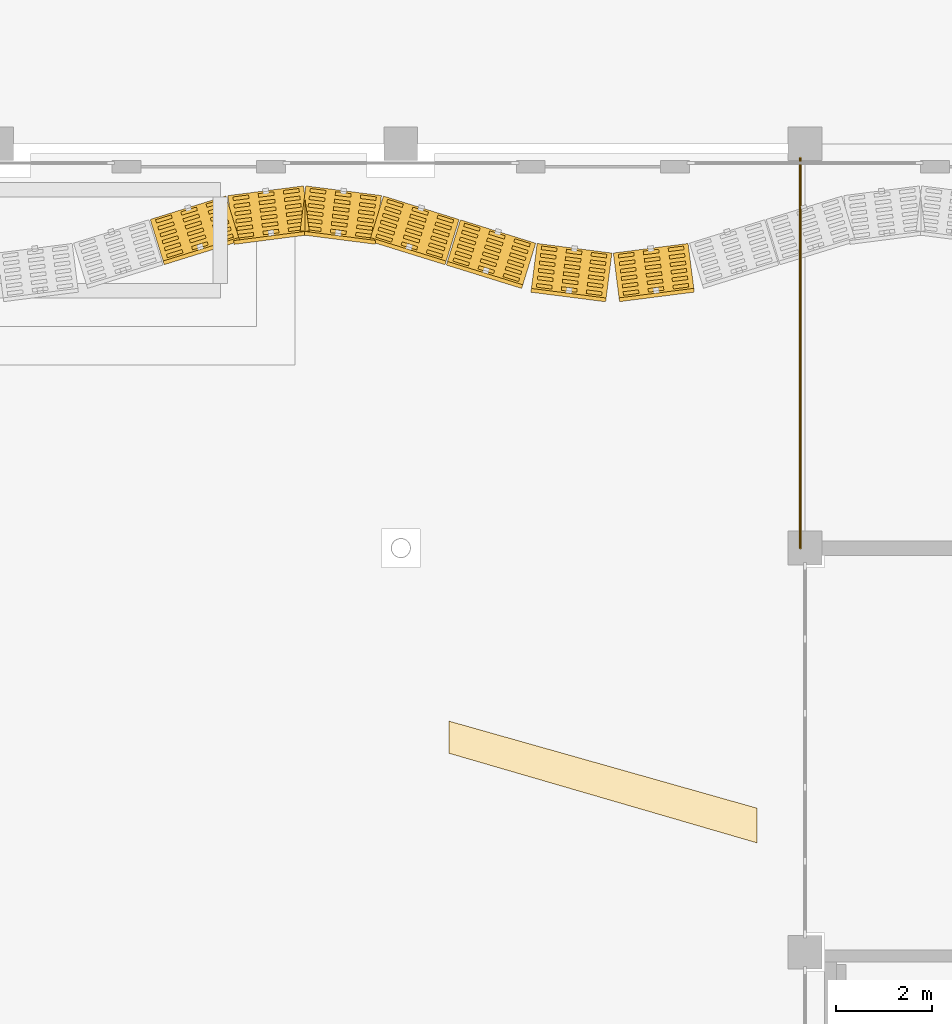
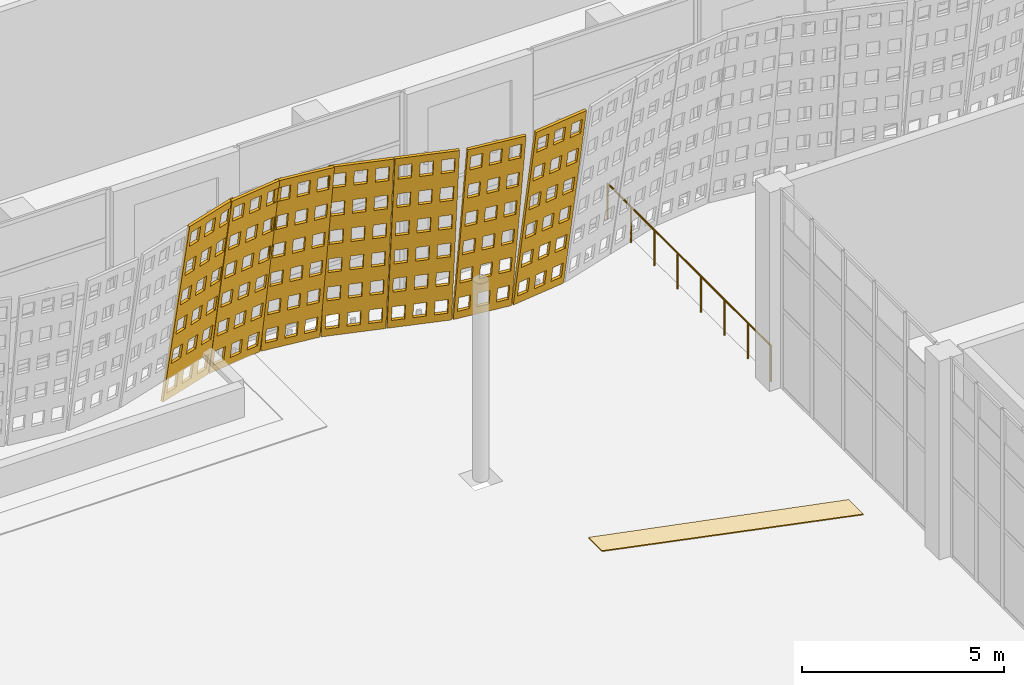
# One storey, part 185 of 210: 8 coverings, 1 railing.
"""IFC4 building model written with IfcOpenShell, lengths in metres."""

from ifc_helpers import new_model, si_unit, direction, frame, origin, origin_2d, place, context, subcontext, project, spatial, polyline, circle, outline, extrude, material, layer, layer_set, type_object, element, save


model = new_model("IFC4")

# Units and contexts
model_context = context("Model", 3, precision=1e-05, world=origin(), true_north=direction((0.0, 1.0)))
body_context = subcontext(model_context, "Body", "Model", "MODEL_VIEW")
ifc_project = project(units=[si_unit("LENGTHUNIT", "METRE"), si_unit("AREAUNIT", "SQUARE_METRE"), si_unit("VOLUMEUNIT", "CUBIC_METRE"), si_unit("PLANEANGLEUNIT", "RADIAN"), si_unit("MASSUNIT", "GRAM", prefix="KILO")], contexts=[model_context])

# Site, building, storey
site_placement = place(None, origin())
site = spatial("IfcSite", under=ifc_project, at=site_placement, CompositionType="ELEMENT")
building_placement = place(site_placement, origin())
building = spatial("IfcBuilding", under=site, at=building_placement, Name="Rain Tree Exposition and Congress Centre", CompositionType="ELEMENT")
storey_placement = place(building_placement, origin())
storey = spatial("IfcBuildingStorey", under=building, at=storey_placement, Name="L00", CompositionType="ELEMENT", Elevation=0.0)

# Covering
ifc_material_1 = material(Name="Granite paving", Category="masonry")
ifc_layer_1 = layer(ifc_material_1, 0.030029296875)
ifc_layer_set_1 = layer_set([ifc_layer_1], Name="Granite paving")
covering_type_1 = type_object("IfcCoveringType", Name="Granite paving inlay 30", PredefinedType="FLOORING", material=ifc_layer_set_1)
covering_1_placement = place(storey_placement, origin())
element("IfcCovering", 1, at=covering_1_placement, inside=storey, type_object=covering_type_1, Name="Granite paving inlay 22", PredefinedType="FLOORING", context=body_context, shape_type="SweptSolid", body=[
    extrude(outline(polyline([(143.800048828125, 63.603271484375), (143.800048828125, 62.935791015625), (150.199951171875, 61.07373046875), (150.199951171875, 61.794921875), (143.800048828125, 63.603271484375)])), origin(), (0.0, 0.0, 1.0), 0.030029296875),
])

# Railing
ifc_material_2 = material(Name="Stainless steel", Category="steel")
railing_type = type_object("IfcRailingType", Name="Guard 1100 stainless", PredefinedType="GUARDRAIL", material=ifc_material_2)
railing_placement = place(storey_placement, frame((151.10009765625, 67.199951171875, 0.0)))
element("IfcRailing", 2, at=railing_placement, inside=storey, type_object=railing_type, Name="Deck edge guard east-2", PredefinedType="GUARDRAIL", context=body_context, shape_type="SweptSolid", body=[
    extrude(circle(Radius=0.02490234375, at=origin_2d()), frame((0.0, 0.0, 1.0751953125), z_axis=(0.0, 1.0, 0.0), x_axis=(-1.0, 0.0, 0.0)), (0.0, 0.0, 1.0), 8.10009765625),
    extrude(circle(Radius=0.02490234375, at=origin_2d()), origin(), (0.0, 0.0, 1.0), 1.050048828125),
    extrude(circle(Radius=0.02490234375, at=origin_2d()), frame((0.0, 1.1572265625, 0.0)), (0.0, 0.0, 1.0), 1.050048828125),
    extrude(circle(Radius=0.02490234375, at=origin_2d()), frame((0.0, 2.314208984375, 0.0)), (0.0, 0.0, 1.0), 1.050048828125),
    extrude(circle(Radius=0.02490234375, at=origin_2d()), frame((0.0, 3.471435546875, 0.0)), (0.0, 0.0, 1.0), 1.050048828125),
    extrude(circle(Radius=0.02490234375, at=origin_2d()), frame((0.0, 4.628662109375, 0.0)), (0.0, 0.0, 1.0), 1.050048828125),
    extrude(circle(Radius=0.02490234375, at=origin_2d()), frame((0.0, 5.785888671875, 0.0)), (0.0, 0.0, 1.0), 1.050048828125),
    extrude(circle(Radius=0.02490234375, at=origin_2d()), frame((0.0, 6.94287109375, 0.0)), (0.0, 0.0, 1.0), 1.050048828125),
    extrude(circle(Radius=0.02490234375, at=origin_2d()), frame((0.0, 8.10009765625, 0.0)), (0.0, 0.0, 1.0), 1.050048828125),
])

# Coverings
ifc_material_3 = material(Name="Perforated terracotta", Category="masonry")
ifc_layer_2 = layer(ifc_material_3, 0.080078125)
ifc_layer_set_2 = layer_set([ifc_layer_2], Name="Perforated terracotta")
covering_type_2 = type_object("IfcCoveringType", Name="Terracotta screen 80", PredefinedType="CLADDING", material=ifc_layer_set_2)
covering_2_placement = place(storey_placement, frame((137.60009765625, 73.949951171875, 0.0), z_axis=(-0.293072736571, 0.943327870838, 0.155694891303), x_axis=(-0.954973588716, -0.296690823679, 0.0)))
element("IfcCovering", 3, at=covering_2_placement, inside=storey, type_object=covering_type_2, Name="concourse/screen/L00/087", PredefinedType="CLADDING", context=body_context, shape_type="SweptSolid", body=[
    extrude(outline(polyline([(-0.014892578125, 0.0), (-1.659912109375, 0.0), (-1.659912109375, 5.80859375), (-0.014892578125, 5.80859375), (-0.014892578125, 0.0)]), holes=[polyline([(-0.119140625, 0.249755859375), (-0.119140625, 0.71826171875), (-0.458984375, 0.71826171875), (-0.458984375, 0.249755859375), (-0.119140625, 0.249755859375)]), polyline([(-0.119140625, 1.218017578125), (-0.119140625, 1.686279296875), (-0.458984375, 1.686279296875), (-0.458984375, 1.218017578125), (-0.119140625, 1.218017578125)]), polyline([(-0.119140625, 2.18603515625), (-0.119140625, 2.654541015625), (-0.458984375, 2.654541015625), (-0.458984375, 2.18603515625), (-0.119140625, 2.18603515625)]), polyline([(-0.119140625, 3.154052734375), (-0.119140625, 3.62255859375), (-0.458984375, 3.62255859375), (-0.458984375, 3.154052734375), (-0.119140625, 3.154052734375)]), polyline([(-0.119140625, 4.122314453125), (-0.119140625, 4.5908203125), (-0.458984375, 4.5908203125), (-0.458984375, 4.122314453125), (-0.119140625, 4.122314453125)]), polyline([(-0.119140625, 5.09033203125), (-0.119140625, 5.558837890625), (-0.458984375, 5.558837890625), (-0.458984375, 5.09033203125), (-0.119140625, 5.09033203125)]), polyline([(-0.66748046875, 0.249755859375), (-0.66748046875, 0.71826171875), (-1.00732421875, 0.71826171875), (-1.00732421875, 0.249755859375), (-0.66748046875, 0.249755859375)]), polyline([(-0.66748046875, 1.218017578125), (-0.66748046875, 1.686279296875), (-1.00732421875, 1.686279296875), (-1.00732421875, 1.218017578125), (-0.66748046875, 1.218017578125)]), polyline([(-0.66748046875, 2.18603515625), (-0.66748046875, 2.654541015625), (-1.00732421875, 2.654541015625), (-1.00732421875, 2.18603515625), (-0.66748046875, 2.18603515625)]), polyline([(-0.66748046875, 3.154052734375), (-0.66748046875, 3.62255859375), (-1.00732421875, 3.62255859375), (-1.00732421875, 3.154052734375), (-0.66748046875, 3.154052734375)]), polyline([(-0.66748046875, 4.122314453125), (-0.66748046875, 4.5908203125), (-1.00732421875, 4.5908203125), (-1.00732421875, 4.122314453125), (-0.66748046875, 4.122314453125)]), polyline([(-0.66748046875, 5.09033203125), (-0.66748046875, 5.558837890625), (-1.00732421875, 5.558837890625), (-1.00732421875, 5.09033203125), (-0.66748046875, 5.09033203125)]), polyline([(-1.2158203125, 0.249755859375), (-1.2158203125, 0.71826171875), (-1.5556640625, 0.71826171875), (-1.5556640625, 0.249755859375), (-1.2158203125, 0.249755859375)]), polyline([(-1.2158203125, 1.218017578125), (-1.2158203125, 1.686279296875), (-1.5556640625, 1.686279296875), (-1.5556640625, 1.218017578125), (-1.2158203125, 1.218017578125)]), polyline([(-1.2158203125, 2.18603515625), (-1.2158203125, 2.654541015625), (-1.5556640625, 2.654541015625), (-1.5556640625, 2.18603515625), (-1.2158203125, 2.18603515625)]), polyline([(-1.2158203125, 3.154052734375), (-1.2158203125, 3.62255859375), (-1.5556640625, 3.62255859375), (-1.5556640625, 3.154052734375), (-1.2158203125, 3.154052734375)]), polyline([(-1.2158203125, 4.122314453125), (-1.2158203125, 4.5908203125), (-1.5556640625, 4.5908203125), (-1.5556640625, 4.122314453125), (-1.2158203125, 4.122314453125)]), polyline([(-1.2158203125, 5.09033203125), (-1.2158203125, 5.558837890625), (-1.5556640625, 5.558837890625), (-1.5556640625, 5.09033203125), (-1.2158203125, 5.09033203125)])]), origin(), (0.0, 0.0, 1.0), 0.080078125),
])
covering_3_placement = place(storey_placement, frame((139.199951171875, 74.445068359375, 0.0), z_axis=(-0.125405134464, 0.978771781185, 0.162109076259), x_axis=(-0.991891686382, -0.127086122318, 0.0)))
element("IfcCovering", 4, at=covering_3_placement, inside=storey, type_object=covering_type_2, Name="concourse/screen/L00/088", PredefinedType="CLADDING", context=body_context, shape_type="SweptSolid", body=[
    extrude(outline(polyline([(-0.014892578125, 0.0), (-1.59814453125, 0.0), (-1.59814453125, 5.813720703125), (-0.014892578125, 5.813720703125), (-0.014892578125, 0.0)]), holes=[polyline([(-0.115234375, 0.25), (-0.115234375, 0.718994140625), (-0.4423828125, 0.718994140625), (-0.4423828125, 0.25), (-0.115234375, 0.25)]), polyline([(-0.115234375, 1.218994140625), (-0.115234375, 1.687744140625), (-0.4423828125, 1.687744140625), (-0.4423828125, 1.218994140625), (-0.115234375, 1.218994140625)]), polyline([(-0.115234375, 2.18798828125), (-0.115234375, 2.65673828125), (-0.4423828125, 2.65673828125), (-0.4423828125, 2.18798828125), (-0.115234375, 2.18798828125)]), polyline([(-0.115234375, 3.156982421875), (-0.115234375, 3.625732421875), (-0.4423828125, 3.625732421875), (-0.4423828125, 3.156982421875), (-0.115234375, 3.156982421875)]), polyline([(-0.115234375, 4.125732421875), (-0.115234375, 4.594482421875), (-0.4423828125, 4.594482421875), (-0.4423828125, 4.125732421875), (-0.115234375, 4.125732421875)]), polyline([(-0.115234375, 5.0947265625), (-0.115234375, 5.563720703125), (-0.4423828125, 5.563720703125), (-0.4423828125, 5.0947265625), (-0.115234375, 5.0947265625)]), polyline([(-0.64306640625, 0.25), (-0.64306640625, 0.718994140625), (-0.97021484375, 0.718994140625), (-0.97021484375, 0.25), (-0.64306640625, 0.25)]), polyline([(-0.64306640625, 1.218994140625), (-0.64306640625, 1.687744140625), (-0.97021484375, 1.687744140625), (-0.97021484375, 1.218994140625), (-0.64306640625, 1.218994140625)]), polyline([(-0.64306640625, 2.18798828125), (-0.64306640625, 2.65673828125), (-0.97021484375, 2.65673828125), (-0.97021484375, 2.18798828125), (-0.64306640625, 2.18798828125)]), polyline([(-0.64306640625, 3.156982421875), (-0.64306640625, 3.625732421875), (-0.97021484375, 3.625732421875), (-0.97021484375, 3.156982421875), (-0.64306640625, 3.156982421875)]), polyline([(-0.64306640625, 4.125732421875), (-0.64306640625, 4.594482421875), (-0.97021484375, 4.594482421875), (-0.97021484375, 4.125732421875), (-0.64306640625, 4.125732421875)]), polyline([(-0.64306640625, 5.0947265625), (-0.64306640625, 5.563720703125), (-0.97021484375, 5.563720703125), (-0.97021484375, 5.0947265625), (-0.64306640625, 5.0947265625)]), polyline([(-1.170654296875, 0.25), (-1.170654296875, 0.718994140625), (-1.497802734375, 0.718994140625), (-1.497802734375, 0.25), (-1.170654296875, 0.25)]), polyline([(-1.170654296875, 1.218994140625), (-1.170654296875, 1.687744140625), (-1.497802734375, 1.687744140625), (-1.497802734375, 1.218994140625), (-1.170654296875, 1.218994140625)]), polyline([(-1.170654296875, 2.18798828125), (-1.170654296875, 2.65673828125), (-1.497802734375, 2.65673828125), (-1.497802734375, 2.18798828125), (-1.170654296875, 2.18798828125)]), polyline([(-1.170654296875, 3.156982421875), (-1.170654296875, 3.625732421875), (-1.497802734375, 3.625732421875), (-1.497802734375, 3.156982421875), (-1.170654296875, 3.156982421875)]), polyline([(-1.170654296875, 4.125732421875), (-1.170654296875, 4.594482421875), (-1.497802734375, 4.594482421875), (-1.497802734375, 4.125732421875), (-1.170654296875, 4.125732421875)]), polyline([(-1.170654296875, 5.0947265625), (-1.170654296875, 5.563720703125), (-1.497802734375, 5.563720703125), (-1.497802734375, 5.0947265625), (-1.170654296875, 5.0947265625)])]), origin(), (0.0, 0.0, 1.0), 0.079833984375),
])
covering_4_placement = place(storey_placement, frame((140.800048828125, 74.64990234375, 0.0), z_axis=(0.125030801275, 0.978899688033, 0.161625182136), x_axis=(-0.991941518713, 0.126696580272, 0.0)))
element("IfcCovering", 5, at=covering_4_placement, inside=storey, type_object=covering_type_2, Name="concourse/screen/L00/089", PredefinedType="CLADDING", context=body_context, shape_type="SweptSolid", body=[
    extrude(outline(polyline([(-0.014892578125, 0.0), (-1.59814453125, 0.0), (-1.59814453125, 5.813720703125), (-0.014892578125, 5.813720703125), (-0.014892578125, 0.0)]), holes=[polyline([(-0.115234375, 0.25), (-0.115234375, 0.718994140625), (-0.4423828125, 0.718994140625), (-0.4423828125, 0.25), (-0.115234375, 0.25)]), polyline([(-0.115234375, 1.218994140625), (-0.115234375, 1.687744140625), (-0.4423828125, 1.687744140625), (-0.4423828125, 1.218994140625), (-0.115234375, 1.218994140625)]), polyline([(-0.115234375, 2.18798828125), (-0.115234375, 2.65673828125), (-0.4423828125, 2.65673828125), (-0.4423828125, 2.18798828125), (-0.115234375, 2.18798828125)]), polyline([(-0.115234375, 3.156982421875), (-0.115234375, 3.625732421875), (-0.4423828125, 3.625732421875), (-0.4423828125, 3.156982421875), (-0.115234375, 3.156982421875)]), polyline([(-0.115234375, 4.125732421875), (-0.115234375, 4.594482421875), (-0.4423828125, 4.594482421875), (-0.4423828125, 4.125732421875), (-0.115234375, 4.125732421875)]), polyline([(-0.115234375, 5.0947265625), (-0.115234375, 5.563720703125), (-0.4423828125, 5.563720703125), (-0.4423828125, 5.0947265625), (-0.115234375, 5.0947265625)]), polyline([(-0.64306640625, 0.25), (-0.64306640625, 0.718994140625), (-0.97021484375, 0.718994140625), (-0.97021484375, 0.25), (-0.64306640625, 0.25)]), polyline([(-0.64306640625, 1.218994140625), (-0.64306640625, 1.687744140625), (-0.97021484375, 1.687744140625), (-0.97021484375, 1.218994140625), (-0.64306640625, 1.218994140625)]), polyline([(-0.64306640625, 2.18798828125), (-0.64306640625, 2.65673828125), (-0.97021484375, 2.65673828125), (-0.97021484375, 2.18798828125), (-0.64306640625, 2.18798828125)]), polyline([(-0.64306640625, 3.156982421875), (-0.64306640625, 3.625732421875), (-0.97021484375, 3.625732421875), (-0.97021484375, 3.156982421875), (-0.64306640625, 3.156982421875)]), polyline([(-0.64306640625, 4.125732421875), (-0.64306640625, 4.594482421875), (-0.97021484375, 4.594482421875), (-0.97021484375, 4.125732421875), (-0.64306640625, 4.125732421875)]), polyline([(-0.64306640625, 5.0947265625), (-0.64306640625, 5.563720703125), (-0.97021484375, 5.563720703125), (-0.97021484375, 5.0947265625), (-0.64306640625, 5.0947265625)]), polyline([(-1.170654296875, 0.25), (-1.170654296875, 0.718994140625), (-1.497802734375, 0.718994140625), (-1.497802734375, 0.25), (-1.170654296875, 0.25)]), polyline([(-1.170654296875, 1.218994140625), (-1.170654296875, 1.687744140625), (-1.497802734375, 1.687744140625), (-1.497802734375, 1.218994140625), (-1.170654296875, 1.218994140625)]), polyline([(-1.170654296875, 2.18798828125), (-1.170654296875, 2.65673828125), (-1.497802734375, 2.65673828125), (-1.497802734375, 2.18798828125), (-1.170654296875, 2.18798828125)]), polyline([(-1.170654296875, 3.156982421875), (-1.170654296875, 3.625732421875), (-1.497802734375, 3.625732421875), (-1.497802734375, 3.156982421875), (-1.170654296875, 3.156982421875)]), polyline([(-1.170654296875, 4.125732421875), (-1.170654296875, 4.594482421875), (-1.497802734375, 4.594482421875), (-1.497802734375, 4.125732421875), (-1.170654296875, 4.125732421875)]), polyline([(-1.170654296875, 5.0947265625), (-1.170654296875, 5.563720703125), (-1.497802734375, 5.563720703125), (-1.497802734375, 5.0947265625), (-1.170654296875, 5.0947265625)])]), origin(), (0.0, 0.0, 1.0), 0.080078125),
])
covering_5_placement = place(storey_placement, frame((142.39990234375, 74.445068359375, 0.0), z_axis=(0.293072736571, 0.943327870838, 0.155694891303), x_axis=(-0.954973588716, 0.296690823679, 0.0)))
element("IfcCovering", 6, at=covering_5_placement, inside=storey, type_object=covering_type_2, Name="concourse/screen/L00/090", PredefinedType="CLADDING", context=body_context, shape_type="SweptSolid", body=[
    extrude(outline(polyline([(-0.014892578125, 0.0), (-1.659912109375, 0.0), (-1.659912109375, 5.80859375), (-0.014892578125, 5.80859375), (-0.014892578125, 0.0)]), holes=[polyline([(-0.119140625, 0.249755859375), (-0.119140625, 0.71826171875), (-0.458984375, 0.71826171875), (-0.458984375, 0.249755859375), (-0.119140625, 0.249755859375)]), polyline([(-0.119140625, 1.218017578125), (-0.119140625, 1.686279296875), (-0.458984375, 1.686279296875), (-0.458984375, 1.218017578125), (-0.119140625, 1.218017578125)]), polyline([(-0.119140625, 2.18603515625), (-0.119140625, 2.654541015625), (-0.458984375, 2.654541015625), (-0.458984375, 2.18603515625), (-0.119140625, 2.18603515625)]), polyline([(-0.119140625, 3.154052734375), (-0.119140625, 3.62255859375), (-0.458984375, 3.62255859375), (-0.458984375, 3.154052734375), (-0.119140625, 3.154052734375)]), polyline([(-0.119140625, 4.122314453125), (-0.119140625, 4.5908203125), (-0.458984375, 4.5908203125), (-0.458984375, 4.122314453125), (-0.119140625, 4.122314453125)]), polyline([(-0.119140625, 5.09033203125), (-0.119140625, 5.558837890625), (-0.458984375, 5.558837890625), (-0.458984375, 5.09033203125), (-0.119140625, 5.09033203125)]), polyline([(-0.66748046875, 0.249755859375), (-0.66748046875, 0.71826171875), (-1.00732421875, 0.71826171875), (-1.00732421875, 0.249755859375), (-0.66748046875, 0.249755859375)]), polyline([(-0.66748046875, 1.218017578125), (-0.66748046875, 1.686279296875), (-1.00732421875, 1.686279296875), (-1.00732421875, 1.218017578125), (-0.66748046875, 1.218017578125)]), polyline([(-0.66748046875, 2.18603515625), (-0.66748046875, 2.654541015625), (-1.00732421875, 2.654541015625), (-1.00732421875, 2.18603515625), (-0.66748046875, 2.18603515625)]), polyline([(-0.66748046875, 3.154052734375), (-0.66748046875, 3.62255859375), (-1.00732421875, 3.62255859375), (-1.00732421875, 3.154052734375), (-0.66748046875, 3.154052734375)]), polyline([(-0.66748046875, 4.122314453125), (-0.66748046875, 4.5908203125), (-1.00732421875, 4.5908203125), (-1.00732421875, 4.122314453125), (-0.66748046875, 4.122314453125)]), polyline([(-0.66748046875, 5.09033203125), (-0.66748046875, 5.558837890625), (-1.00732421875, 5.558837890625), (-1.00732421875, 5.09033203125), (-0.66748046875, 5.09033203125)]), polyline([(-1.2158203125, 0.249755859375), (-1.2158203125, 0.71826171875), (-1.5556640625, 0.71826171875), (-1.5556640625, 0.249755859375), (-1.2158203125, 0.249755859375)]), polyline([(-1.2158203125, 1.218017578125), (-1.2158203125, 1.686279296875), (-1.5556640625, 1.686279296875), (-1.5556640625, 1.218017578125), (-1.2158203125, 1.218017578125)]), polyline([(-1.2158203125, 2.18603515625), (-1.2158203125, 2.654541015625), (-1.5556640625, 2.654541015625), (-1.5556640625, 2.18603515625), (-1.2158203125, 2.18603515625)]), polyline([(-1.2158203125, 3.154052734375), (-1.2158203125, 3.62255859375), (-1.5556640625, 3.62255859375), (-1.5556640625, 3.154052734375), (-1.2158203125, 3.154052734375)]), polyline([(-1.2158203125, 4.122314453125), (-1.2158203125, 4.5908203125), (-1.5556640625, 4.5908203125), (-1.5556640625, 4.122314453125), (-1.2158203125, 4.122314453125)]), polyline([(-1.2158203125, 5.09033203125), (-1.2158203125, 5.558837890625), (-1.5556640625, 5.558837890625), (-1.5556640625, 5.09033203125), (-1.2158203125, 5.09033203125)])]), origin(), (0.0, 0.0, 1.0), 0.080078125),
])
covering_6_placement = place(storey_placement, frame((144.0, 73.949951171875, 0.0), z_axis=(0.293072736571, 0.943327870838, 0.155694891303), x_axis=(-0.954973588716, 0.296690823679, 0.0)))
element("IfcCovering", 7, at=covering_6_placement, inside=storey, type_object=covering_type_2, Name="concourse/screen/L00/091", PredefinedType="CLADDING", context=body_context, shape_type="SweptSolid", body=[
    extrude(outline(polyline([(-0.014892578125, 0.0), (-1.65283203125, 0.0), (-1.65283203125, 5.80859375), (-0.014892578125, 5.80859375), (-0.014892578125, 0.0)]), holes=[polyline([(-0.11865234375, 0.249755859375), (-0.11865234375, 0.71826171875), (-0.457275390625, 0.71826171875), (-0.457275390625, 0.249755859375), (-0.11865234375, 0.249755859375)]), polyline([(-0.11865234375, 1.218017578125), (-0.11865234375, 1.686279296875), (-0.457275390625, 1.686279296875), (-0.457275390625, 1.218017578125), (-0.11865234375, 1.218017578125)]), polyline([(-0.11865234375, 2.18603515625), (-0.11865234375, 2.654541015625), (-0.457275390625, 2.654541015625), (-0.457275390625, 2.18603515625), (-0.11865234375, 2.18603515625)]), polyline([(-0.11865234375, 3.154052734375), (-0.11865234375, 3.62255859375), (-0.457275390625, 3.62255859375), (-0.457275390625, 3.154052734375), (-0.11865234375, 3.154052734375)]), polyline([(-0.11865234375, 4.122314453125), (-0.11865234375, 4.5908203125), (-0.457275390625, 4.5908203125), (-0.457275390625, 4.122314453125), (-0.11865234375, 4.122314453125)]), polyline([(-0.11865234375, 5.09033203125), (-0.11865234375, 5.558837890625), (-0.457275390625, 5.558837890625), (-0.457275390625, 5.09033203125), (-0.11865234375, 5.09033203125)]), polyline([(-0.664794921875, 0.249755859375), (-0.664794921875, 0.71826171875), (-1.003173828125, 0.71826171875), (-1.003173828125, 0.249755859375), (-0.664794921875, 0.249755859375)]), polyline([(-0.664794921875, 1.218017578125), (-0.664794921875, 1.686279296875), (-1.003173828125, 1.686279296875), (-1.003173828125, 1.218017578125), (-0.664794921875, 1.218017578125)]), polyline([(-0.664794921875, 2.18603515625), (-0.664794921875, 2.654541015625), (-1.003173828125, 2.654541015625), (-1.003173828125, 2.18603515625), (-0.664794921875, 2.18603515625)]), polyline([(-0.664794921875, 3.154052734375), (-0.664794921875, 3.62255859375), (-1.003173828125, 3.62255859375), (-1.003173828125, 3.154052734375), (-0.664794921875, 3.154052734375)]), polyline([(-0.664794921875, 4.122314453125), (-0.664794921875, 4.5908203125), (-1.003173828125, 4.5908203125), (-1.003173828125, 4.122314453125), (-0.664794921875, 4.122314453125)]), polyline([(-0.664794921875, 5.09033203125), (-0.664794921875, 5.558837890625), (-1.003173828125, 5.558837890625), (-1.003173828125, 5.09033203125), (-0.664794921875, 5.09033203125)]), polyline([(-1.210693359375, 0.249755859375), (-1.210693359375, 0.71826171875), (-1.54931640625, 0.71826171875), (-1.54931640625, 0.249755859375), (-1.210693359375, 0.249755859375)]), polyline([(-1.210693359375, 1.218017578125), (-1.210693359375, 1.686279296875), (-1.54931640625, 1.686279296875), (-1.54931640625, 1.218017578125), (-1.210693359375, 1.218017578125)]), polyline([(-1.210693359375, 2.18603515625), (-1.210693359375, 2.654541015625), (-1.54931640625, 2.654541015625), (-1.54931640625, 2.18603515625), (-1.210693359375, 2.18603515625)]), polyline([(-1.210693359375, 3.154052734375), (-1.210693359375, 3.62255859375), (-1.54931640625, 3.62255859375), (-1.54931640625, 3.154052734375), (-1.210693359375, 3.154052734375)]), polyline([(-1.210693359375, 4.122314453125), (-1.210693359375, 4.5908203125), (-1.54931640625, 4.5908203125), (-1.54931640625, 4.122314453125), (-1.210693359375, 4.122314453125)]), polyline([(-1.210693359375, 5.09033203125), (-1.210693359375, 5.558837890625), (-1.54931640625, 5.558837890625), (-1.54931640625, 5.09033203125), (-1.210693359375, 5.09033203125)])]), origin(), (0.0, 0.0, 1.0), 0.080078125),
])
covering_7_placement = place(storey_placement, frame((145.60009765625, 73.455078125, 0.0), z_axis=(0.125405134464, 0.978771781185, 0.162109076259), x_axis=(-0.991891686382, 0.127086122318, 0.0)))
element("IfcCovering", 8, at=covering_7_placement, inside=storey, type_object=covering_type_2, Name="concourse/screen/L00/092", PredefinedType="CLADDING", context=body_context, shape_type="SweptSolid", body=[
    extrude(outline(polyline([(-0.02197265625, 0.0), (-1.587890625, 0.0), (-1.587890625, 5.813720703125), (-0.02197265625, 5.813720703125), (-0.02197265625, 0.0)]), holes=[polyline([(-0.12109375, 0.25), (-0.12109375, 0.718994140625), (-0.444580078125, 0.718994140625), (-0.444580078125, 0.25), (-0.12109375, 0.25)]), polyline([(-0.12109375, 1.218994140625), (-0.12109375, 1.687744140625), (-0.444580078125, 1.687744140625), (-0.444580078125, 1.218994140625), (-0.12109375, 1.218994140625)]), polyline([(-0.12109375, 2.18798828125), (-0.12109375, 2.65673828125), (-0.444580078125, 2.65673828125), (-0.444580078125, 2.18798828125), (-0.12109375, 2.18798828125)]), polyline([(-0.12109375, 3.156982421875), (-0.12109375, 3.625732421875), (-0.444580078125, 3.625732421875), (-0.444580078125, 3.156982421875), (-0.12109375, 3.156982421875)]), polyline([(-0.12109375, 4.125732421875), (-0.12109375, 4.594482421875), (-0.444580078125, 4.594482421875), (-0.444580078125, 4.125732421875), (-0.12109375, 4.125732421875)]), polyline([(-0.12109375, 5.0947265625), (-0.12109375, 5.563720703125), (-0.444580078125, 5.563720703125), (-0.444580078125, 5.0947265625), (-0.12109375, 5.0947265625)]), polyline([(-0.64306640625, 0.25), (-0.64306640625, 0.718994140625), (-0.966796875, 0.718994140625), (-0.966796875, 0.25), (-0.64306640625, 0.25)]), polyline([(-0.64306640625, 1.218994140625), (-0.64306640625, 1.687744140625), (-0.966796875, 1.687744140625), (-0.966796875, 1.218994140625), (-0.64306640625, 1.218994140625)]), polyline([(-0.64306640625, 2.18798828125), (-0.64306640625, 2.65673828125), (-0.966796875, 2.65673828125), (-0.966796875, 2.18798828125), (-0.64306640625, 2.18798828125)]), polyline([(-0.64306640625, 3.156982421875), (-0.64306640625, 3.625732421875), (-0.966796875, 3.625732421875), (-0.966796875, 3.156982421875), (-0.64306640625, 3.156982421875)]), polyline([(-0.64306640625, 4.125732421875), (-0.64306640625, 4.594482421875), (-0.966796875, 4.594482421875), (-0.966796875, 4.125732421875), (-0.64306640625, 4.125732421875)]), polyline([(-0.64306640625, 5.0947265625), (-0.64306640625, 5.563720703125), (-0.966796875, 5.563720703125), (-0.966796875, 5.0947265625), (-0.64306640625, 5.0947265625)]), polyline([(-1.1650390625, 0.25), (-1.1650390625, 0.718994140625), (-1.48876953125, 0.718994140625), (-1.48876953125, 0.25), (-1.1650390625, 0.25)]), polyline([(-1.1650390625, 1.218994140625), (-1.1650390625, 1.687744140625), (-1.48876953125, 1.687744140625), (-1.48876953125, 1.218994140625), (-1.1650390625, 1.218994140625)]), polyline([(-1.1650390625, 2.18798828125), (-1.1650390625, 2.65673828125), (-1.48876953125, 2.65673828125), (-1.48876953125, 2.18798828125), (-1.1650390625, 2.18798828125)]), polyline([(-1.1650390625, 3.156982421875), (-1.1650390625, 3.625732421875), (-1.48876953125, 3.625732421875), (-1.48876953125, 3.156982421875), (-1.1650390625, 3.156982421875)]), polyline([(-1.1650390625, 4.125732421875), (-1.1650390625, 4.594482421875), (-1.48876953125, 4.594482421875), (-1.48876953125, 4.125732421875), (-1.1650390625, 4.125732421875)]), polyline([(-1.1650390625, 5.0947265625), (-1.1650390625, 5.563720703125), (-1.48876953125, 5.563720703125), (-1.48876953125, 5.0947265625), (-1.1650390625, 5.0947265625)])]), origin(), (0.0, 0.0, 1.0), 0.079833984375),
])
covering_8_placement = place(storey_placement, frame((147.199951171875, 73.25, 0.0), z_axis=(-0.125030801275, 0.978899688033, 0.161625182136), x_axis=(-0.991941518713, -0.126696580272, 0.0)))
element("IfcCovering", 9, at=covering_8_placement, inside=storey, type_object=covering_type_2, Name="concourse/screen/L00/093", PredefinedType="CLADDING", context=body_context, shape_type="SweptSolid", body=[
    extrude(outline(polyline([(-0.025146484375, 0.0), (-1.59130859375, 0.0), (-1.59130859375, 5.813720703125), (-0.025146484375, 5.813720703125), (-0.025146484375, 0.0)]), holes=[polyline([(-0.12451171875, 0.25), (-0.12451171875, 0.718994140625), (-0.447998046875, 0.718994140625), (-0.447998046875, 0.25), (-0.12451171875, 0.25)]), polyline([(-0.12451171875, 1.218994140625), (-0.12451171875, 1.687744140625), (-0.447998046875, 1.687744140625), (-0.447998046875, 1.218994140625), (-0.12451171875, 1.218994140625)]), polyline([(-0.12451171875, 2.18798828125), (-0.12451171875, 2.65673828125), (-0.447998046875, 2.65673828125), (-0.447998046875, 2.18798828125), (-0.12451171875, 2.18798828125)]), polyline([(-0.12451171875, 3.156982421875), (-0.12451171875, 3.625732421875), (-0.447998046875, 3.625732421875), (-0.447998046875, 3.156982421875), (-0.12451171875, 3.156982421875)]), polyline([(-0.12451171875, 4.125732421875), (-0.12451171875, 4.594482421875), (-0.447998046875, 4.594482421875), (-0.447998046875, 4.125732421875), (-0.12451171875, 4.125732421875)]), polyline([(-0.12451171875, 5.0947265625), (-0.12451171875, 5.563720703125), (-0.447998046875, 5.563720703125), (-0.447998046875, 5.0947265625), (-0.12451171875, 5.0947265625)]), polyline([(-0.646484375, 0.25), (-0.646484375, 0.718994140625), (-0.969970703125, 0.718994140625), (-0.969970703125, 0.25), (-0.646484375, 0.25)]), polyline([(-0.646484375, 1.218994140625), (-0.646484375, 1.687744140625), (-0.969970703125, 1.687744140625), (-0.969970703125, 1.218994140625), (-0.646484375, 1.218994140625)]), polyline([(-0.646484375, 2.18798828125), (-0.646484375, 2.65673828125), (-0.969970703125, 2.65673828125), (-0.969970703125, 2.18798828125), (-0.646484375, 2.18798828125)]), polyline([(-0.646484375, 3.156982421875), (-0.646484375, 3.625732421875), (-0.969970703125, 3.625732421875), (-0.969970703125, 3.156982421875), (-0.646484375, 3.156982421875)]), polyline([(-0.646484375, 4.125732421875), (-0.646484375, 4.594482421875), (-0.969970703125, 4.594482421875), (-0.969970703125, 4.125732421875), (-0.646484375, 4.125732421875)]), polyline([(-0.646484375, 5.0947265625), (-0.646484375, 5.563720703125), (-0.969970703125, 5.563720703125), (-0.969970703125, 5.0947265625), (-0.646484375, 5.0947265625)]), polyline([(-1.16845703125, 0.25), (-1.16845703125, 0.718994140625), (-1.491943359375, 0.718994140625), (-1.491943359375, 0.25), (-1.16845703125, 0.25)]), polyline([(-1.16845703125, 1.218994140625), (-1.16845703125, 1.687744140625), (-1.491943359375, 1.687744140625), (-1.491943359375, 1.218994140625), (-1.16845703125, 1.218994140625)]), polyline([(-1.16845703125, 2.18798828125), (-1.16845703125, 2.65673828125), (-1.491943359375, 2.65673828125), (-1.491943359375, 2.18798828125), (-1.16845703125, 2.18798828125)]), polyline([(-1.16845703125, 3.156982421875), (-1.16845703125, 3.625732421875), (-1.491943359375, 3.625732421875), (-1.491943359375, 3.156982421875), (-1.16845703125, 3.156982421875)]), polyline([(-1.16845703125, 4.125732421875), (-1.16845703125, 4.594482421875), (-1.491943359375, 4.594482421875), (-1.491943359375, 4.125732421875), (-1.16845703125, 4.125732421875)]), polyline([(-1.16845703125, 5.0947265625), (-1.16845703125, 5.563720703125), (-1.491943359375, 5.563720703125), (-1.491943359375, 5.0947265625), (-1.16845703125, 5.0947265625)])]), origin(), (0.0, 0.0, 1.0), 0.080078125),
])

save(model, "model.ifc")
